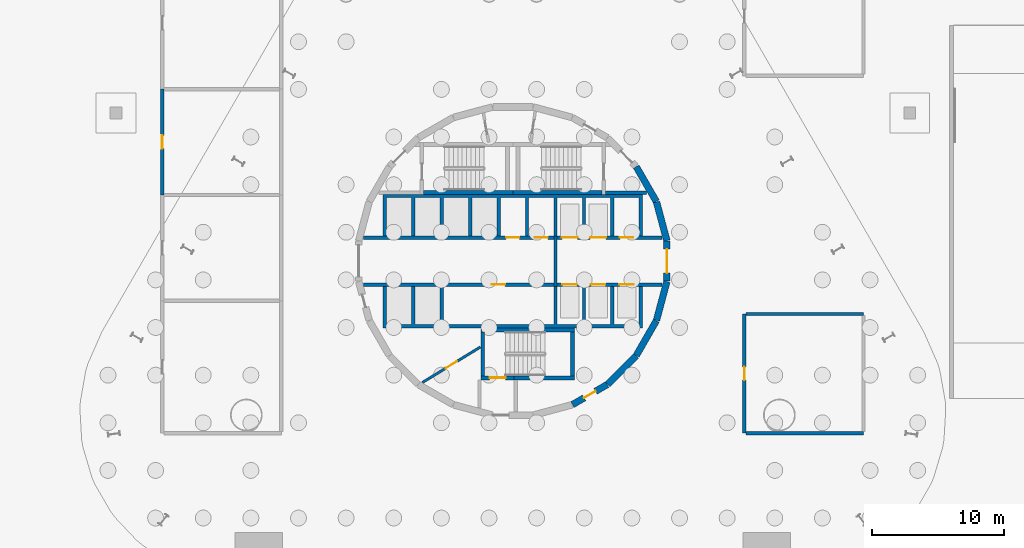
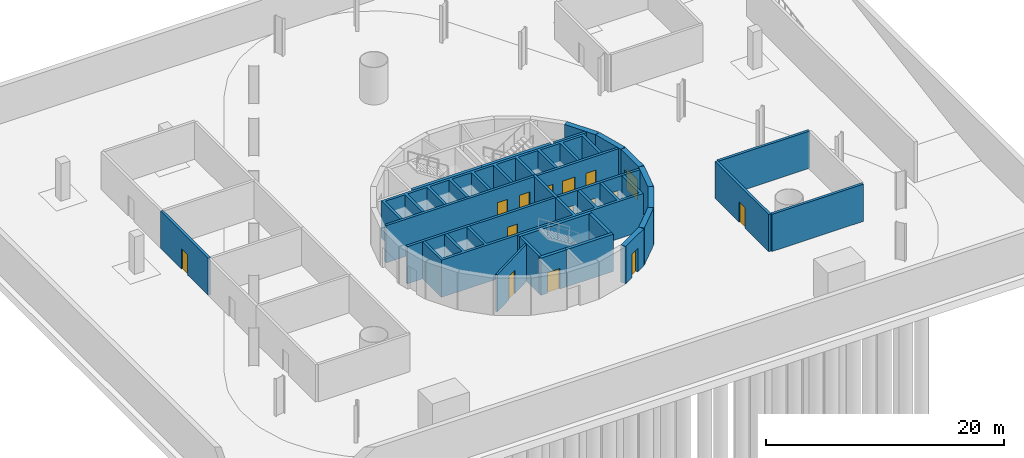
# One storey, part 7 of 11: 27 walls, 15 doors, 15 openings.
"""IFC4 building model written with IfcOpenShell, lengths in metres."""

from ifc_helpers import new_model, si_unit, direction, frame, frame_2d, origin, place, context, subcontext, project, spatial, polyline, rectangle, outline, extrude, material, layer, layer_set, type_object, element, fill, save


model = new_model("IFC4")

# Units and contexts
model_context = context("Model", 3, precision=1e-05, world=origin(), true_north=direction((0.0, 1.0)))
body_context = subcontext(model_context, "Body", "Model", "MODEL_VIEW")
ifc_project = project(units=[si_unit("LENGTHUNIT", "METRE"), si_unit("AREAUNIT", "SQUARE_METRE"), si_unit("VOLUMEUNIT", "CUBIC_METRE"), si_unit("PLANEANGLEUNIT", "RADIAN"), si_unit("MASSUNIT", "GRAM", prefix="KILO")], contexts=[model_context])

# Site, building, storey
site_placement = place(None, origin())
site = spatial("IfcSite", under=ifc_project, at=site_placement, CompositionType="ELEMENT")
building_placement = place(site_placement, origin())
building = spatial("IfcBuilding", under=site, at=building_placement, Name="Spindle Arch Residences", CompositionType="ELEMENT")
storey_placement = place(building_placement, frame((0.0, 0.0, -8.39990234375)))
storey = spatial("IfcBuildingStorey", under=building, at=storey_placement, Name="B2", CompositionType="ELEMENT", Elevation=-8.39990234375)

# Wall, opening, door
ifc_material_1 = material(Name="Concrete C50/60", Category="concrete")
ifc_layer_1 = layer(ifc_material_1, 0.5)
ifc_layer_set_1 = layer_set([ifc_layer_1], Name="Core outline wall 500")
wall_type_1 = type_object("IfcWallType", Name="Core outline wall 500", PredefinedType="SHEAR", material=ifc_layer_set_1)
wall_1_placement = place(storey_placement, frame((4.510498046875, -10.84521484375, 0.0), z_axis=(0.0, 0.0, 1.0), x_axis=(0.865975092491, 0.500087131594, 0.0)))
wall_1 = element("IfcWall", 1, at=wall_1_placement, inside=storey, type_object=wall_type_1, Name="Core outline wall 2", PredefinedType="SHEAR", context=body_context, shape_type="SweptSolid", body=[
    extrude(rectangle(XDim=3.03271484375, YDim=0.5, at=frame_2d((1.516357421875, 0.0))), origin(), (0.0, 0.0, 1.0), 3.81982421875),
])
opening_1_placement = place(wall_1_placement, frame((1.016357421875, 0.0, 0.0)))
opening_1 = element("IfcOpeningElement", 2, at=opening_1_placement, cuts=wall_1, Name="Opening B2-PD08", PredefinedType="OPENING", context=body_context, shape_type="SweptSolid", body=[
    extrude(rectangle(XDim=1.0, YDim=2.39990234375, at=frame_2d((0.5, 1.199951171875))), frame((0.0, 0.260009765625, 0.0), z_axis=(0.0, -1.0, 0.0), x_axis=(1.0, 0.0, 0.0)), (0.0, 0.0, 1.0), 0.52001953125),
])
ifc_material_2 = material(Name="Steel, fire-resisting door", Category="steel")
door_type_1 = type_object("IfcDoorType", Name="Plant room door 1000x2400", OperationType="SINGLE_SWING_LEFT", PredefinedType="DOOR", material=ifc_material_2)
door_1_placement = place(opening_1_placement, origin())
door_1 = element("IfcDoor", 3, at=door_1_placement, inside=storey, type_object=door_type_1, Name="Plant room door B2-PD08", OperationType="SINGLE_SWING_LEFT", OverallHeight=2.39990234375, OverallWidth=1.0, PredefinedType="DOOR", context=body_context, shape_type="SweptSolid", body=[
    extrude(rectangle(XDim=1.0, YDim=2.39990234375, at=frame_2d((0.5, 1.199951171875))), frame((0.0, 0.02490234375, 0.0), z_axis=(0.0, -1.0, 0.0), x_axis=(1.0, 0.0, 0.0)), (0.0, 0.0, 1.0), 0.050048828125),
])
fill(opening_1, door_1)

# Walls
wall_2_placement = place(storey_placement, frame((7.163818359375, -9.30810546875, 0.0), z_axis=(0.0, 0.0, 1.0), x_axis=(0.707106781187, 0.707106781187, 0.0)))
element("IfcWall", 4, at=wall_2_placement, inside=storey, type_object=wall_type_1, Name="Core outline wall 3", PredefinedType="SHEAR", context=body_context, shape_type="SweptSolid", body=[
    extrude(rectangle(XDim=3.032470703125, YDim=0.5, at=frame_2d((1.51611328125, 0.0))), origin(), (0.0, 0.0, 1.0), 3.81982421875),
])
for number, where, z_axis, x_axis, name in (
    (5, (9.32861328125, -7.13671875, 0.0), (0.0, 0.0, 1.0), (0.500087131594, 0.865975092491, 0.0), "Core outline wall 4"),
    (6, (10.858154296875, -4.479248046875, 0.0), (0.0, 0.0, 1.0), (0.258734743916, 0.965948410781, 0.0), "Core outline wall 5"),
):
    element("IfcWall", number, at=place(storey_placement, frame(where, z_axis=z_axis, x_axis=x_axis)), inside=storey, type_object=wall_type_1, Name=name, PredefinedType="SHEAR", context=body_context, shape_type="SweptSolid", body=[
        extrude(rectangle(XDim=3.03271484375, YDim=0.5, at=frame_2d((1.516357421875, 0.0))), origin(), (0.0, 0.0, 1.0), 3.81982421875),
    ])

# Wall, opening, door
wall_3_placement = place(storey_placement, frame((11.647216796875, -1.516357421875, 0.0), z_axis=(0.0, 0.0, 1.0), x_axis=(0.0, 1.0, 0.0)))
wall_3 = element("IfcWall", 7, at=wall_3_placement, inside=storey, type_object=wall_type_1, Name="Core outline wall 6", PredefinedType="SHEAR", context=body_context, shape_type="SweptSolid", body=[
    extrude(rectangle(XDim=3.03271484375, YDim=0.5, at=frame_2d((1.516357421875, 0.0))), origin(), (0.0, 0.0, 1.0), 3.81982421875),
])
opening_2_placement = place(wall_3_placement, frame((0.6162109375, 0.0, 0.0)))
opening_2 = element("IfcOpeningElement", 8, at=opening_2_placement, cuts=wall_3, Name="Opening B2-FE01", PredefinedType="OPENING", context=body_context, shape_type="SweptSolid", body=[
    extrude(rectangle(XDim=1.800048828125, YDim=2.10009765625, at=frame_2d((0.89990234375, 1.050048828125))), frame((0.0, 0.260009765625, 0.0), z_axis=(0.0, -1.0, 0.0), x_axis=(1.0, 0.0, 0.0)), (0.0, 0.0, 1.0), 0.52001953125),
])
ifc_material_3 = material(Name="Steel, fire-resisting door", Category="steel")
door_type_2 = type_object("IfcDoorType", Name="Fire-lift lobby door 1800x2100", OperationType="DOUBLE_DOOR_SINGLE_SWING", PredefinedType="DOOR", material=ifc_material_3)
door_2_placement = place(opening_2_placement, origin())
door_2 = element("IfcDoor", 9, at=door_2_placement, inside=storey, type_object=door_type_2, Name="Fire-lift lobby door B2-FE01", OperationType="DOUBLE_DOOR_SINGLE_SWING", OverallHeight=2.10009765625, OverallWidth=1.800048828125, PredefinedType="DOOR", context=body_context, shape_type="SweptSolid", body=[
    extrude(rectangle(XDim=1.800048828125, YDim=2.10009765625, at=frame_2d((0.89990234375, 1.050048828125))), frame((0.0, 0.02490234375, 0.0), z_axis=(0.0, -1.0, 0.0), x_axis=(1.0, 0.0, 0.0)), (0.0, 0.0, 1.0), 0.050048828125),
])
fill(opening_2, door_2)

# Walls
for number, where, z_axis, x_axis, name in (
    (10, (11.642822265625, 1.5498046875, 0.0), (0.0, 0.0, 1.0), (-0.258734743916, 0.965948410781, 0.0), "Core outline wall 7"),
    (11, (10.84521484375, 4.510498046875, 0.0), (0.0, 0.0, 1.0), (-0.500087131594, 0.865975092491, 0.0), "Core outline wall 8"),
):
    element("IfcWall", number, at=place(storey_placement, frame(where, z_axis=z_axis, x_axis=x_axis)), inside=storey, type_object=wall_type_1, Name=name, PredefinedType="SHEAR", context=body_context, shape_type="SweptSolid", body=[
        extrude(rectangle(XDim=3.03271484375, YDim=0.5, at=frame_2d((1.516357421875, 0.0))), origin(), (0.0, 0.0, 1.0), 3.81982421875),
    ])

# Wall, openings, doors
ifc_material_4 = material(Name="Concrete C40/50", Category="concrete")
ifc_layer_2 = layer(ifc_material_4, 0.25)
ifc_layer_set_2 = layer_set([ifc_layer_2], Name="Fire-lift lobby wall 250")
wall_type_2 = type_object("IfcWallType", Name="Fire-lift lobby wall 250", PredefinedType="SHEAR", material=ifc_layer_set_2)
wall_4_placement = place(storey_placement, frame((3.35009765625, 1.77490234375, 0.0), z_axis=(0.0, 0.0, 1.0), x_axis=(1.0, 0.0, 0.0)))
wall_4 = element("IfcWall", 12, at=wall_4_placement, inside=storey, type_object=wall_type_2, Name="Lift shaft front wall NE", PredefinedType="SHEAR", context=body_context, shape_type="SweptSolid", body=[
    extrude(rectangle(XDim=7.929931640625, YDim=0.25, at=frame_2d((3.96484375, 0.0))), origin(), (0.0, 0.0, 1.0), 3.81982421875),
])
opening_3_placement = place(wall_4_placement, frame((0.35009765625, 0.0, 0.0)))
opening_3 = element("IfcOpeningElement", 13, at=opening_3_placement, cuts=wall_4, Name="Opening B2-SLD01", PredefinedType="OPENING", context=body_context, shape_type="SweptSolid", body=[
    extrude(rectangle(XDim=1.199951171875, YDim=2.39990234375, at=frame_2d((0.60009765625, 1.199951171875))), frame((0.0, 0.135009765625, 0.0), z_axis=(0.0, -1.0, 0.0), x_axis=(1.0, 0.0, 0.0)), (0.0, 0.0, 1.0), 0.27001953125),
])
opening_4_placement = place(wall_4_placement, frame((2.5, 0.0, 0.0)))
opening_4 = element("IfcOpeningElement", 14, at=opening_4_placement, cuts=wall_4, Name="Opening B2-SLD02", PredefinedType="OPENING", context=body_context, shape_type="SweptSolid", body=[
    extrude(rectangle(XDim=1.199951171875, YDim=2.39990234375, at=frame_2d((0.60009765625, 1.199951171875))), frame((0.0, 0.135009765625, 0.0), z_axis=(0.0, -1.0, 0.0), x_axis=(1.0, 0.0, 0.0)), (0.0, 0.0, 1.0), 0.27001953125),
])
opening_5_placement = place(wall_4_placement, frame((4.75, 0.0, 0.0)))
opening_5 = element("IfcOpeningElement", 15, at=opening_5_placement, cuts=wall_4, Name="Opening B2-PD03", PredefinedType="OPENING", context=body_context, shape_type="SweptSolid", body=[
    extrude(rectangle(XDim=1.0, YDim=2.39990234375, at=frame_2d((0.5, 1.199951171875))), frame((0.0, 0.135009765625, 0.0), z_axis=(0.0, -1.0, 0.0), x_axis=(1.0, 0.0, 0.0)), (0.0, 0.0, 1.0), 0.27001953125),
])
door_3_placement = place(opening_5_placement, origin())
door_3 = element("IfcDoor", 16, at=door_3_placement, inside=storey, type_object=door_type_1, Name="Plant room door B2-PD03", OperationType="SINGLE_SWING_RIGHT", OverallHeight=2.39990234375, OverallWidth=1.0, PredefinedType="DOOR", context=body_context, shape_type="SweptSolid", body=[
    extrude(rectangle(XDim=1.0, YDim=2.39990234375, at=frame_2d((0.5, 1.199951171875))), frame((0.0, 0.02490234375, 0.0), z_axis=(0.0, -1.0, 0.0), x_axis=(1.0, 0.0, 0.0)), (0.0, 0.0, 1.0), 0.050048828125),
])
fill(opening_5, door_3)
ifc_material_5 = material(Name="Steel, fire-resisting landing door", Category="steel")
door_type_3 = type_object("IfcDoorType", Name="Service lift landing door 1200x2400", OperationType="DOUBLE_DOOR_SLIDING", PredefinedType="DOOR", material=ifc_material_5)
door_4_placement = place(opening_3_placement, origin())
door_4 = element("IfcDoor", 17, at=door_4_placement, inside=storey, type_object=door_type_3, Name="Service lift landing door B2-SLD01", OperationType="DOUBLE_DOOR_SLIDING", OverallHeight=2.39990234375, OverallWidth=1.199951171875, PredefinedType="DOOR", context=body_context, shape_type="SweptSolid", body=[
    extrude(rectangle(XDim=1.199951171875, YDim=2.39990234375, at=frame_2d((0.60009765625, 1.199951171875))), frame((0.0, 0.02490234375, 0.0), z_axis=(0.0, -1.0, 0.0), x_axis=(1.0, 0.0, 0.0)), (0.0, 0.0, 1.0), 0.050048828125),
])
fill(opening_3, door_4)
door_5_placement = place(opening_4_placement, origin())
door_5 = element("IfcDoor", 18, at=door_5_placement, inside=storey, type_object=door_type_3, Name="Service lift landing door B2-SLD02", OperationType="DOUBLE_DOOR_SLIDING", OverallHeight=2.39990234375, OverallWidth=1.199951171875, PredefinedType="DOOR", context=body_context, shape_type="SweptSolid", body=[
    extrude(rectangle(XDim=1.199951171875, YDim=2.39990234375, at=frame_2d((0.60009765625, 1.199951171875))), frame((0.0, 0.02490234375, 0.0), z_axis=(0.0, -1.0, 0.0), x_axis=(1.0, 0.0, 0.0)), (0.0, 0.0, 1.0), 0.050048828125),
])
fill(opening_4, door_5)

# Wall
wall_5_placement = place(storey_placement, frame((3.22509765625, -1.89990234375, 0.0), z_axis=(0.0, 0.0, 1.0), x_axis=(0.0, 1.0, 0.0)))
element("IfcWall", 19, at=wall_5_placement, inside=storey, type_object=wall_type_2, Name="Fire-fighting lobby partition", PredefinedType="SHEAR", context=body_context, shape_type="SweptSolid", body=[
    extrude(rectangle(XDim=3.7998046875, YDim=0.25, at=frame_2d((1.89990234375, 0.0))), origin(), (0.0, 0.0, 1.0), 3.81982421875),
])

# Wall, openings, doors
ifc_material_6 = material(Name="Concrete C50/60", Category="concrete")
ifc_layer_3 = layer(ifc_material_6, 0.25)
ifc_layer_set_3 = layer_set([ifc_layer_3], Name="Fire-lift shaft wall 250")
wall_type_3 = type_object("IfcWallType", Name="Fire-lift shaft wall 250", PredefinedType="SHEAR", material=ifc_layer_set_3)
wall_6_placement = place(storey_placement, frame((3.35009765625, -1.77490234375, 0.0), z_axis=(0.0, 0.0, 1.0), x_axis=(1.0, 0.0, 0.0)))
wall_6 = element("IfcWall", 20, at=wall_6_placement, inside=storey, type_object=wall_type_3, Name="Lift shaft front wall SE", PredefinedType="SHEAR", context=body_context, shape_type="SweptSolid", body=[
    extrude(rectangle(XDim=7.929931640625, YDim=0.25, at=frame_2d((3.96484375, 0.0))), origin(), (0.0, 0.0, 1.0), 3.81982421875),
])
opening_6_placement = place(wall_6_placement, frame((0.39990234375, 0.0, 0.0)))
opening_6 = element("IfcOpeningElement", 21, at=opening_6_placement, cuts=wall_6, Name="Opening B2-FLD01", PredefinedType="OPENING", context=body_context, shape_type="SweptSolid", body=[
    extrude(rectangle(XDim=1.10009765625, YDim=2.39990234375, at=frame_2d((0.550048828125, 1.199951171875))), frame((0.0, 0.135009765625, 0.0), z_axis=(0.0, -1.0, 0.0), x_axis=(1.0, 0.0, 0.0)), (0.0, 0.0, 1.0), 0.27001953125),
])
opening_7_placement = place(wall_6_placement, frame((2.550048828125, 0.0, 0.0)))
opening_7 = element("IfcOpeningElement", 22, at=opening_7_placement, cuts=wall_6, Name="Opening B2-FLD02", PredefinedType="OPENING", context=body_context, shape_type="SweptSolid", body=[
    extrude(rectangle(XDim=1.10009765625, YDim=2.39990234375, at=frame_2d((0.550048828125, 1.199951171875))), frame((0.0, 0.135009765625, 0.0), z_axis=(0.0, -1.0, 0.0), x_axis=(1.0, 0.0, 0.0)), (0.0, 0.0, 1.0), 0.27001953125),
])
opening_8_placement = place(wall_6_placement, frame((4.699951171875, 0.0, 0.0)))
opening_8 = element("IfcOpeningElement", 23, at=opening_8_placement, cuts=wall_6, Name="Opening B2-FLD03", PredefinedType="OPENING", context=body_context, shape_type="SweptSolid", body=[
    extrude(rectangle(XDim=1.10009765625, YDim=2.39990234375, at=frame_2d((0.550048828125, 1.199951171875))), frame((0.0, 0.135009765625, 0.0), z_axis=(0.0, -1.0, 0.0), x_axis=(1.0, 0.0, 0.0)), (0.0, 0.0, 1.0), 0.27001953125),
])
ifc_material_7 = material(Name="Steel, fire-resisting landing door", Category="steel")
door_type_4 = type_object("IfcDoorType", Name="Fire-fighting lift landing door 1100x2400", OperationType="DOUBLE_DOOR_SLIDING", PredefinedType="DOOR", material=ifc_material_7)
door_6_placement = place(opening_6_placement, origin())
door_6 = element("IfcDoor", 24, at=door_6_placement, inside=storey, type_object=door_type_4, Name="Fire-fighting lift landing door B2-FLD01", OperationType="DOUBLE_DOOR_SLIDING", OverallHeight=2.39990234375, OverallWidth=1.10009765625, PredefinedType="DOOR", context=body_context, shape_type="SweptSolid", body=[
    extrude(rectangle(XDim=1.10009765625, YDim=2.39990234375, at=frame_2d((0.550048828125, 1.199951171875))), frame((0.0, 0.02490234375, 0.0), z_axis=(0.0, -1.0, 0.0), x_axis=(1.0, 0.0, 0.0)), (0.0, 0.0, 1.0), 0.050048828125),
])
fill(opening_6, door_6)
door_7_placement = place(opening_7_placement, origin())
door_7 = element("IfcDoor", 25, at=door_7_placement, inside=storey, type_object=door_type_4, Name="Fire-fighting lift landing door B2-FLD02", OperationType="DOUBLE_DOOR_SLIDING", OverallHeight=2.39990234375, OverallWidth=1.10009765625, PredefinedType="DOOR", context=body_context, shape_type="SweptSolid", body=[
    extrude(rectangle(XDim=1.10009765625, YDim=2.39990234375, at=frame_2d((0.550048828125, 1.199951171875))), frame((0.0, 0.02490234375, 0.0), z_axis=(0.0, -1.0, 0.0), x_axis=(1.0, 0.0, 0.0)), (0.0, 0.0, 1.0), 0.050048828125),
])
fill(opening_7, door_7)
door_8_placement = place(opening_8_placement, origin())
door_8 = element("IfcDoor", 26, at=door_8_placement, inside=storey, type_object=door_type_4, Name="Fire-fighting lift landing door B2-FLD03", OperationType="DOUBLE_DOOR_SLIDING", OverallHeight=2.39990234375, OverallWidth=1.10009765625, PredefinedType="DOOR", context=body_context, shape_type="SweptSolid", body=[
    extrude(rectangle(XDim=1.10009765625, YDim=2.39990234375, at=frame_2d((0.550048828125, 1.199951171875))), frame((0.0, 0.02490234375, 0.0), z_axis=(0.0, -1.0, 0.0), x_axis=(1.0, 0.0, 0.0)), (0.0, 0.0, 1.0), 0.050048828125),
])
fill(opening_8, door_8)

ifc_material_8 = material(Name="Concrete C50/60", Category="concrete")
ifc_layer_4 = layer(ifc_material_8, 0.25)
ifc_layer_set_4 = layer_set([ifc_layer_4], Name="Lift shaft wall 250")
wall_type_4 = type_object("IfcWallType", Name="Lift shaft wall 250", PredefinedType="SHEAR", material=ifc_layer_set_4)
wall_7_placement = place(storey_placement, frame((-11.280029296875, 1.77490234375, 0.0), z_axis=(0.0, 0.0, 1.0), x_axis=(1.0, 0.0, 0.0)))
wall_7 = element("IfcWall", 27, at=wall_7_placement, inside=storey, type_object=wall_type_4, Name="Lift shaft front wall NW", PredefinedType="SHEAR", context=body_context, shape_type="SweptSolid", body=[
    extrude(rectangle(XDim=14.380126953125, YDim=0.25, at=frame_2d((7.18994140625, 0.0))), origin(), (0.0, 0.0, 1.0), 3.81982421875),
])
opening_9_placement = place(wall_7_placement, frame((10.780029296875, 0.0, 0.0)))
opening_9 = element("IfcOpeningElement", 28, at=opening_9_placement, cuts=wall_7, Name="Opening B2-PD01", PredefinedType="OPENING", context=body_context, shape_type="SweptSolid", body=[
    extrude(rectangle(XDim=1.0, YDim=2.39990234375, at=frame_2d((0.5, 1.199951171875))), frame((0.0, 0.135009765625, 0.0), z_axis=(0.0, -1.0, 0.0), x_axis=(1.0, 0.0, 0.0)), (0.0, 0.0, 1.0), 0.27001953125),
])
opening_10_placement = place(wall_7_placement, frame((12.929931640625, 0.0, 0.0)))
opening_10 = element("IfcOpeningElement", 29, at=opening_10_placement, cuts=wall_7, Name="Opening B2-PD02", PredefinedType="OPENING", context=body_context, shape_type="SweptSolid", body=[
    extrude(rectangle(XDim=1.0, YDim=2.39990234375, at=frame_2d((0.5, 1.199951171875))), frame((0.0, 0.135009765625, 0.0), z_axis=(0.0, -1.0, 0.0), x_axis=(1.0, 0.0, 0.0)), (0.0, 0.0, 1.0), 0.27001953125),
])
door_9_placement = place(opening_9_placement, origin())
door_9 = element("IfcDoor", 30, at=door_9_placement, inside=storey, type_object=door_type_1, Name="Plant room door B2-PD01", OperationType="SINGLE_SWING_RIGHT", OverallHeight=2.39990234375, OverallWidth=1.0, PredefinedType="DOOR", context=body_context, shape_type="SweptSolid", body=[
    extrude(rectangle(XDim=1.0, YDim=2.39990234375, at=frame_2d((0.5, 1.199951171875))), frame((0.0, 0.02490234375, 0.0), z_axis=(0.0, -1.0, 0.0), x_axis=(1.0, 0.0, 0.0)), (0.0, 0.0, 1.0), 0.050048828125),
])
fill(opening_9, door_9)
door_10_placement = place(opening_10_placement, origin())
door_10 = element("IfcDoor", 31, at=door_10_placement, inside=storey, type_object=door_type_1, Name="Plant room door B2-PD02", OperationType="SINGLE_SWING_LEFT", OverallHeight=2.39990234375, OverallWidth=1.0, PredefinedType="DOOR", context=body_context, shape_type="SweptSolid", body=[
    extrude(rectangle(XDim=1.0, YDim=2.39990234375, at=frame_2d((0.5, 1.199951171875))), frame((0.0, 0.02490234375, 0.0), z_axis=(0.0, -1.0, 0.0), x_axis=(1.0, 0.0, 0.0)), (0.0, 0.0, 1.0), 0.050048828125),
])
fill(opening_10, door_10)

# Wall, opening, door
wall_8_placement = place(storey_placement, frame((-11.280029296875, -1.77490234375, 0.0), z_axis=(0.0, 0.0, 1.0), x_axis=(1.0, 0.0, 0.0)))
wall_8 = element("IfcWall", 32, at=wall_8_placement, inside=storey, type_object=wall_type_4, Name="Lift shaft front wall SW", PredefinedType="SHEAR", context=body_context, shape_type="SweptSolid", body=[
    extrude(rectangle(XDim=14.380126953125, YDim=0.25, at=frame_2d((7.18994140625, 0.0))), origin(), (0.0, 0.0, 1.0), 3.81982421875),
])
opening_11_placement = place(wall_8_placement, frame((9.705078125, 0.0, 0.0)))
opening_11 = element("IfcOpeningElement", 33, at=opening_11_placement, cuts=wall_8, Name="Opening B2-PD04", PredefinedType="OPENING", context=body_context, shape_type="SweptSolid", body=[
    extrude(rectangle(XDim=1.0, YDim=2.39990234375, at=frame_2d((0.5, 1.199951171875))), frame((0.0, 0.135009765625, 0.0), z_axis=(0.0, -1.0, 0.0), x_axis=(1.0, 0.0, 0.0)), (0.0, 0.0, 1.0), 0.27001953125),
])
door_11_placement = place(opening_11_placement, origin())
door_11 = element("IfcDoor", 34, at=door_11_placement, inside=storey, type_object=door_type_1, Name="Plant room door B2-PD04", OperationType="SINGLE_SWING_LEFT", OverallHeight=2.39990234375, OverallWidth=1.0, PredefinedType="DOOR", context=body_context, shape_type="SweptSolid", body=[
    extrude(rectangle(XDim=1.0, YDim=2.39990234375, at=frame_2d((0.5, 1.199951171875))), frame((0.0, 0.02490234375, 0.0), z_axis=(0.0, -1.0, 0.0), x_axis=(1.0, 0.0, 0.0)), (0.0, 0.0, 1.0), 0.050048828125),
])
fill(opening_11, door_11)

# Walls
ifc_material_9 = material(Name="Concrete C50/60", Category="concrete")
wall_type_5 = type_object("IfcWallType", Name="Lift shaft wall profile", PredefinedType="SHEAR", material=ifc_material_9)
wall_9_placement = place(storey_placement, origin())
element("IfcWall", 35, at=wall_9_placement, inside=storey, type_object=wall_type_5, Name="Lift shaft walls N", PredefinedType="SHEAR", context=body_context, shape_type="SweptSolid", body=[
    extrude(outline(polyline([(-9.550048828125, 4.800048828125), (-7.64990234375, 4.800048828125), (-7.64990234375, 1.89990234375), (-7.39990234375, 1.89990234375), (-7.39990234375, 4.800048828125), (-5.5, 4.800048828125), (-5.5, 1.89990234375), (-5.25, 1.89990234375), (-5.25, 4.800048828125), (-3.35009765625, 4.800048828125), (-3.35009765625, 1.89990234375), (-3.10009765625, 1.89990234375), (-3.10009765625, 4.800048828125), (-1.199951171875, 4.800048828125), (-1.199951171875, 1.89990234375), (-0.949951171875, 1.89990234375), (-0.949951171875, 4.800048828125), (0.949951171875, 4.800048828125), (0.949951171875, 1.89990234375), (1.199951171875, 1.89990234375), (1.199951171875, 4.800048828125), (3.10009765625, 4.800048828125), (3.10009765625, 1.89990234375), (3.35009765625, 1.89990234375), (3.35009765625, 4.800048828125), (5.25, 4.800048828125), (5.25, 1.89990234375), (5.5, 1.89990234375), (5.5, 4.800048828125), (7.39990234375, 4.800048828125), (7.39990234375, 1.89990234375), (7.64990234375, 1.89990234375), (7.64990234375, 4.800048828125), (9.550048828125, 4.800048828125), (9.550048828125, 1.89990234375), (9.800048828125, 1.89990234375), (9.800048828125, 4.800048828125), (9.800048828125, 5.050048828125), (-9.800048828125, 5.050048828125), (-9.800048828125, 4.800048828125), (-9.800048828125, 1.89990234375), (-9.550048828125, 1.89990234375), (-9.550048828125, 4.800048828125)])), origin(), (0.0, 0.0, 1.0), 3.81982421875),
])
wall_10_placement = place(storey_placement, origin())
element("IfcWall", 36, at=wall_10_placement, inside=storey, type_object=wall_type_5, Name="Lift shaft walls S", PredefinedType="SHEAR", context=body_context, shape_type="SweptSolid", body=[
    extrude(outline(polyline([(9.800048828125, -5.050048828125), (9.800048828125, -4.800048828125), (9.800048828125, -1.89990234375), (9.550048828125, -1.89990234375), (9.550048828125, -4.800048828125), (7.64990234375, -4.800048828125), (7.64990234375, -1.89990234375), (7.39990234375, -1.89990234375), (7.39990234375, -4.800048828125), (5.5, -4.800048828125), (5.5, -1.89990234375), (5.25, -1.89990234375), (5.25, -4.800048828125), (3.35009765625, -4.800048828125), (3.35009765625, -1.89990234375), (3.10009765625, -1.89990234375), (3.10009765625, -4.800048828125), (-5.25, -4.800048828125), (-5.25, -1.89990234375), (-5.5, -1.89990234375), (-5.5, -4.800048828125), (-7.39990234375, -4.800048828125), (-7.39990234375, -1.89990234375), (-7.64990234375, -1.89990234375), (-7.64990234375, -4.800048828125), (-9.550048828125, -4.800048828125), (-9.550048828125, -1.89990234375), (-9.800048828125, -1.89990234375), (-9.800048828125, -4.800048828125), (-9.800048828125, -5.050048828125), (9.800048828125, -5.050048828125)])), origin(), (0.0, 0.0, 1.0), 3.81982421875),
])

# Wall, opening, door
ifc_material_10 = material(Name="Concrete C25/30 wall", Category="concrete")
ifc_layer_5 = layer(ifc_material_10, 0.25)
ifc_layer_set_5 = layer_set([ifc_layer_5], Name="Partition EI 120 250 plant")
wall_type_6 = type_object("IfcWallType", Name="Partition EI 120 250 plant", PredefinedType="PARTITIONING", material=ifc_layer_set_5)
wall_11_placement = place(storey_placement, frame((17.5, -13.0, 0.0), z_axis=(0.0, 0.0, 1.0), x_axis=(0.0, 1.0, 0.0)))
wall_11 = element("IfcWall", 37, at=wall_11_placement, inside=storey, type_object=wall_type_6, Name="B2-W014", PredefinedType="PARTITIONING", context=body_context, shape_type="SweptSolid", body=[
    extrude(rectangle(XDim=9.0, YDim=0.25, at=frame_2d((4.5, 0.0))), origin(), (0.0, 0.0, 1.0), 3.81982421875),
])
opening_12_placement = place(wall_11_placement, frame((4.0, 0.0, 0.0)))
opening_12 = element("IfcOpeningElement", 38, at=opening_12_placement, cuts=wall_11, Name="Opening B2-D01", PredefinedType="OPENING", context=body_context, shape_type="SweptSolid", body=[
    extrude(rectangle(XDim=1.0, YDim=2.10009765625, at=frame_2d((0.5, 1.050048828125))), frame((0.0, 0.135009765625, 0.0), z_axis=(0.0, -1.0, 0.0), x_axis=(1.0, 0.0, 0.0)), (0.0, 0.0, 1.0), 0.27001953125),
])
ifc_material_11 = material(Name="Steel door leaf, painted", Category="steel")
door_type_5 = type_object("IfcDoorType", Name="Door 1000x2100 EI 60", OperationType="SINGLE_SWING_LEFT", PredefinedType="DOOR", material=ifc_material_11)
door_12_placement = place(opening_12_placement, origin())
door_12 = element("IfcDoor", 39, at=door_12_placement, inside=storey, type_object=door_type_5, Name="B2-D01", OperationType="SINGLE_SWING_LEFT", OverallHeight=2.10009765625, OverallWidth=1.0, PredefinedType="DOOR", context=body_context, shape_type="SweptSolid", body=[
    extrude(rectangle(XDim=1.0, YDim=2.10009765625, at=frame_2d((0.5, 1.050048828125))), frame((0.0, 0.02490234375, 0.0), z_axis=(0.0, -1.0, 0.0), x_axis=(1.0, 0.0, 0.0)), (0.0, 0.0, 1.0), 0.050048828125),
])
fill(opening_12, door_12)

# Walls
for number, where, z_axis, x_axis, name in (
    (40, (17.625, -4.0, 0.0), (0.0, 0.0, 1.0), (1.0, 0.0, 0.0), "B2-W015"),
    (41, (26.5, -13.0, 0.0), (0.0, 0.0, 1.0), (-1.0, 0.0, 0.0), "B2-W018"),
):
    element("IfcWall", number, at=place(storey_placement, frame(where, z_axis=z_axis, x_axis=x_axis)), inside=storey, type_object=wall_type_6, Name=name, PredefinedType="PARTITIONING", context=body_context, shape_type="SweptSolid", body=[
        extrude(rectangle(XDim=8.875, YDim=0.25, at=frame_2d((4.4375, 0.0))), origin(), (0.0, 0.0, 1.0), 3.81982421875),
    ])

# Wall, opening, door
ifc_material_12 = material(Name="Concrete C25/30 wall", Category="concrete")
ifc_layer_6 = layer(ifc_material_12, 0.25)
ifc_layer_set_6 = layer_set([ifc_layer_6], Name="Partition EI 150 250 electrical")
wall_type_7 = type_object("IfcWallType", Name="Partition EI 150 250 electrical", PredefinedType="PARTITIONING", material=ifc_layer_set_6)
wall_12_placement = place(storey_placement, frame((-26.5, 5.0, 0.0), z_axis=(0.0, 0.0, 1.0), x_axis=(0.0, 1.0, 0.0)))
wall_12 = element("IfcWall", 42, at=wall_12_placement, inside=storey, type_object=wall_type_7, Name="B2-W004", PredefinedType="PARTITIONING", context=body_context, shape_type="SweptSolid", body=[
    extrude(rectangle(XDim=8.0, YDim=0.25, at=frame_2d((4.0, 0.0))), origin(), (0.0, 0.0, 1.0), 3.81982421875),
])
opening_13_placement = place(wall_12_placement, frame((3.5, 0.0, 0.0)))
opening_13 = element("IfcOpeningElement", 43, at=opening_13_placement, cuts=wall_12, Name="Opening B2-D04", PredefinedType="OPENING", context=body_context, shape_type="SweptSolid", body=[
    extrude(rectangle(XDim=1.0, YDim=2.10009765625, at=frame_2d((0.5, 1.050048828125))), frame((0.0, 0.135009765625, 0.0), z_axis=(0.0, -1.0, 0.0), x_axis=(1.0, 0.0, 0.0)), (0.0, 0.0, 1.0), 0.27001953125),
])
door_13_placement = place(opening_13_placement, origin())
door_13 = element("IfcDoor", 44, at=door_13_placement, inside=storey, type_object=door_type_5, Name="B2-D04", OperationType="SINGLE_SWING_LEFT", OverallHeight=2.10009765625, OverallWidth=1.0, PredefinedType="DOOR", context=body_context, shape_type="SweptSolid", body=[
    extrude(rectangle(XDim=1.0, YDim=2.10009765625, at=frame_2d((0.5, 1.050048828125))), frame((0.0, 0.02490234375, 0.0), z_axis=(0.0, -1.0, 0.0), x_axis=(1.0, 0.0, 0.0)), (0.0, 0.0, 1.0), 0.050048828125),
])
fill(opening_13, door_13)

ifc_material_13 = material(Name="Concrete C25/30", Category="concrete")
ifc_layer_7 = layer(ifc_material_13, 0.18994140625)
ifc_layer_set_7 = layer_set([ifc_layer_7], Name="Plant room partition 190")
wall_type_8 = type_object("IfcWallType", Name="Plant room partition 190", PredefinedType="PARTITIONING", material=ifc_layer_set_7)
wall_13_placement = place(storey_placement, frame((-2.451171875, -6.49462890625, 0.0), z_axis=(0.0, 0.0, 1.0), x_axis=(-0.853250115418, -0.521501908471, 0.0)))
wall_13 = element("IfcWall", 45, at=wall_13_placement, inside=storey, type_object=wall_type_8, Name="Core plant room partition", PredefinedType="PARTITIONING", context=body_context, shape_type="SweptSolid", body=[
    extrude(rectangle(XDim=5.137451171875, YDim=0.18994140625, at=frame_2d((2.56884765625, 0.0))), origin(), (0.0, 0.0, 1.0), 3.81982421875),
])
opening_14_placement = place(wall_13_placement, frame((2.068603515625, 0.0, 0.0)))
opening_14 = element("IfcOpeningElement", 46, at=opening_14_placement, cuts=wall_13, Name="Opening B2-PD05", PredefinedType="OPENING", context=body_context, shape_type="SweptSolid", body=[
    extrude(rectangle(XDim=1.0, YDim=2.39990234375, at=frame_2d((0.5, 1.199951171875))), frame((0.0, 0.10498046875, 0.0), z_axis=(0.0, -1.0, 0.0), x_axis=(1.0, 0.0, 0.0)), (0.0, 0.0, 1.0), 0.2099609375),
])
door_14_placement = place(opening_14_placement, origin())
door_14 = element("IfcDoor", 47, at=door_14_placement, inside=storey, type_object=door_type_1, Name="Plant room door B2-PD05", OperationType="SINGLE_SWING_RIGHT", OverallHeight=2.39990234375, OverallWidth=1.0, PredefinedType="DOOR", context=body_context, shape_type="SweptSolid", body=[
    extrude(rectangle(XDim=1.0, YDim=2.39990234375, at=frame_2d((0.5, 1.199951171875))), frame((0.0, 0.02490234375, 0.0), z_axis=(0.0, -1.0, 0.0), x_axis=(1.0, 0.0, 0.0)), (0.0, 0.0, 1.0), 0.050048828125),
])
fill(opening_14, door_14)

# Walls
ifc_material_14 = material(Name="Concrete C40/50", Category="concrete")
ifc_layer_8 = layer(ifc_material_14, 0.25)
ifc_layer_set_8 = layer_set([ifc_layer_8], Name="Stair airlock wall 250")
wall_type_9 = type_object("IfcWallType", Name="Stair airlock wall 250", PredefinedType="SHEAR", material=ifc_layer_set_8)
wall_14_placement = place(storey_placement, frame((7.0, 5.175048828125, 0.0), z_axis=(0.0, 0.0, 1.0), x_axis=(1.0, 0.0, 0.0)))
element("IfcWall", 48, at=wall_14_placement, inside=storey, type_object=wall_type_9, Name="Stair ST-1 airlock wall S", PredefinedType="SHEAR", context=body_context, shape_type="SweptSolid", body=[
    extrude(rectangle(XDim=3.10009765625, YDim=0.25, at=frame_2d((1.550048828125, 0.0))), origin(), (0.0, 0.0, 1.0), 3.81982421875),
])
ifc_material_15 = material(Name="Concrete C50/60", Category="concrete")
ifc_layer_9 = layer(ifc_material_15, 0.25)
ifc_layer_set_9 = layer_set([ifc_layer_9], Name="Stair enclosure wall 250")
wall_type_10 = type_object("IfcWallType", Name="Stair enclosure wall 250", PredefinedType="SHEAR", material=ifc_layer_set_9)
wall_15_placement = place(storey_placement, frame((-2.27490234375, -8.669921875, 0.0), z_axis=(0.0, 0.0, 1.0), x_axis=(0.0, 1.0, 0.0)))
element("IfcWall", 49, at=wall_15_placement, inside=storey, type_object=wall_type_10, Name="Stair ST-3 enclosure wall W", PredefinedType="SHEAR", context=body_context, shape_type="SweptSolid", body=[
    extrude(rectangle(XDim=3.31982421875, YDim=0.25, at=frame_2d((1.659912109375, 0.0))), origin(), (0.0, 0.0, 1.0), 3.81982421875),
])
ifc_material_16 = material(Name="Concrete C50/60", Category="concrete")
ifc_layer_10 = layer(ifc_material_16, 0.300048828125)
ifc_layer_set_10 = layer_set([ifc_layer_10], Name="Stair enclosure wall 300")
wall_type_11 = type_object("IfcWallType", Name="Stair enclosure wall 300", PredefinedType="SHEAR", material=ifc_layer_set_10)
for number, where, z_axis, x_axis, name in (
    (50, (0.0, 5.199951171875, 0.0), (0.0, 0.0, 1.0), (1.0, 0.0, 0.0), "Stair ST-1 enclosure wall S"),
    (51, (-6.75, 5.199951171875, 0.0), (0.0, 0.0, 1.0), (1.0, 0.0, 0.0), "Stair ST-2 enclosure wall S"),
):
    element("IfcWall", number, at=place(storey_placement, frame(where, z_axis=z_axis, x_axis=x_axis)), inside=storey, type_object=wall_type_11, Name=name, PredefinedType="SHEAR", context=body_context, shape_type="SweptSolid", body=[
        extrude(rectangle(XDim=6.75, YDim=0.300048828125, at=frame_2d((3.375, 0.0))), origin(), (0.0, 0.0, 1.0), 3.81982421875),
    ])
wall_16_placement = place(storey_placement, frame((-2.39990234375, -5.199951171875, 0.0), z_axis=(0.0, 0.0, 1.0), x_axis=(1.0, 0.0, 0.0)))
element("IfcWall", 52, at=wall_16_placement, inside=storey, type_object=wall_type_11, Name="Stair ST-3 enclosure wall N", PredefinedType="SHEAR", context=body_context, shape_type="SweptSolid", body=[
    extrude(rectangle(XDim=7.0498046875, YDim=0.300048828125, at=frame_2d((3.52490234375, 0.0))), origin(), (0.0, 0.0, 1.0), 3.81982421875),
])
wall_17_placement = place(storey_placement, frame((4.5, -8.669921875, 0.0), z_axis=(0.0, 0.0, 1.0), x_axis=(0.0, 1.0, 0.0)))
element("IfcWall", 53, at=wall_17_placement, inside=storey, type_object=wall_type_11, Name="Stair ST-3 enclosure wall E", PredefinedType="SHEAR", context=body_context, shape_type="SweptSolid", body=[
    extrude(rectangle(XDim=3.31982421875, YDim=0.300048828125, at=frame_2d((1.659912109375, 0.0))), origin(), (0.0, 0.0, 1.0), 3.81982421875),
])
wall_18_placement = place(storey_placement, frame((0.10009765625, -8.820068359375, 0.0), z_axis=(0.0, 0.0, 1.0), x_axis=(1.0, 0.0, 0.0)))
element("IfcWall", 54, at=wall_18_placement, inside=storey, type_object=wall_type_11, Name="Stair ST-3 enclosure wall S", PredefinedType="SHEAR", context=body_context, shape_type="SweptSolid", body=[
    extrude(rectangle(XDim=4.5498046875, YDim=0.300048828125, at=frame_2d((2.27490234375, 0.0))), origin(), (0.0, 0.0, 1.0), 3.81982421875),
])

# Wall, opening, door
wall_19_placement = place(storey_placement, frame((-2.39990234375, -8.820068359375, 0.0), z_axis=(0.0, 0.0, 1.0), x_axis=(1.0, 0.0, 0.0)))
wall_19 = element("IfcWall", 55, at=wall_19_placement, inside=storey, type_object=wall_type_11, Name="Stair ST-3 door wall", PredefinedType="SHEAR", context=body_context, shape_type="SweptSolid", body=[
    extrude(rectangle(XDim=2.5, YDim=0.300048828125, at=frame_2d((1.25, 0.0))), origin(), (0.0, 0.0, 1.0), 3.81982421875),
])
opening_15_placement = place(wall_19_placement, frame((0.64990234375, 0.0, 0.0)))
opening_15 = element("IfcOpeningElement", 56, at=opening_15_placement, cuts=wall_19, Name="Opening B2-SD03", PredefinedType="OPENING", context=body_context, shape_type="SweptSolid", body=[
    extrude(rectangle(XDim=1.199951171875, YDim=2.10009765625, at=frame_2d((0.60009765625, 1.050048828125))), frame((0.0, 0.16015625, 0.0), z_axis=(0.0, -1.0, 0.0), x_axis=(1.0, 0.0, 0.0)), (0.0, 0.0, 1.0), 0.320068359375),
])
ifc_material_17 = material(Name="Steel, fire-resisting door", Category="steel")
door_type_6 = type_object("IfcDoorType", Name="Stair door 1200x2100", OperationType="SINGLE_SWING_RIGHT", PredefinedType="DOOR", material=ifc_material_17)
door_15_placement = place(opening_15_placement, origin())
door_15 = element("IfcDoor", 57, at=door_15_placement, inside=storey, type_object=door_type_6, Name="Stair door B2-SD03", OperationType="SINGLE_SWING_LEFT", OverallHeight=2.10009765625, OverallWidth=1.199951171875, PredefinedType="DOOR", context=body_context, shape_type="SweptSolid", body=[
    extrude(rectangle(XDim=1.199951171875, YDim=2.10009765625, at=frame_2d((0.60009765625, 1.050048828125))), frame((0.0, 0.02490234375, 0.0), z_axis=(0.0, -1.0, 0.0), x_axis=(1.0, 0.0, 0.0)), (0.0, 0.0, 1.0), 0.050048828125),
])
fill(opening_15, door_15)

save(model, "model.ifc")
